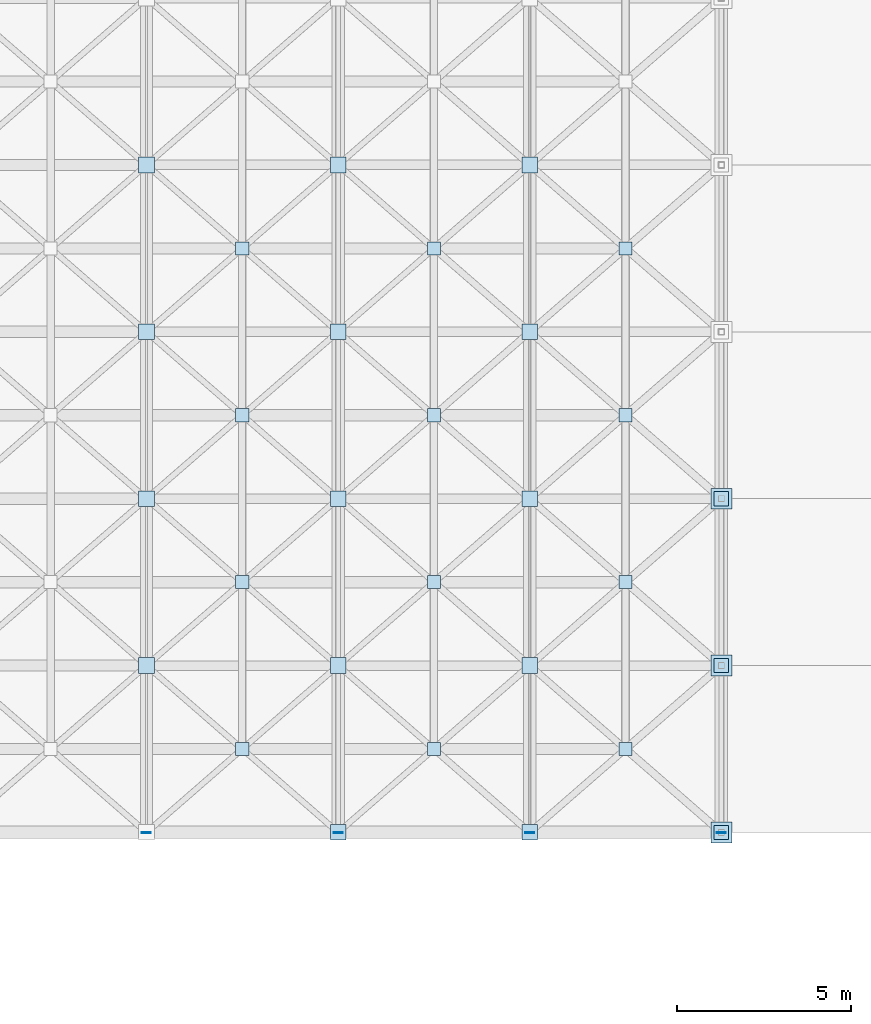
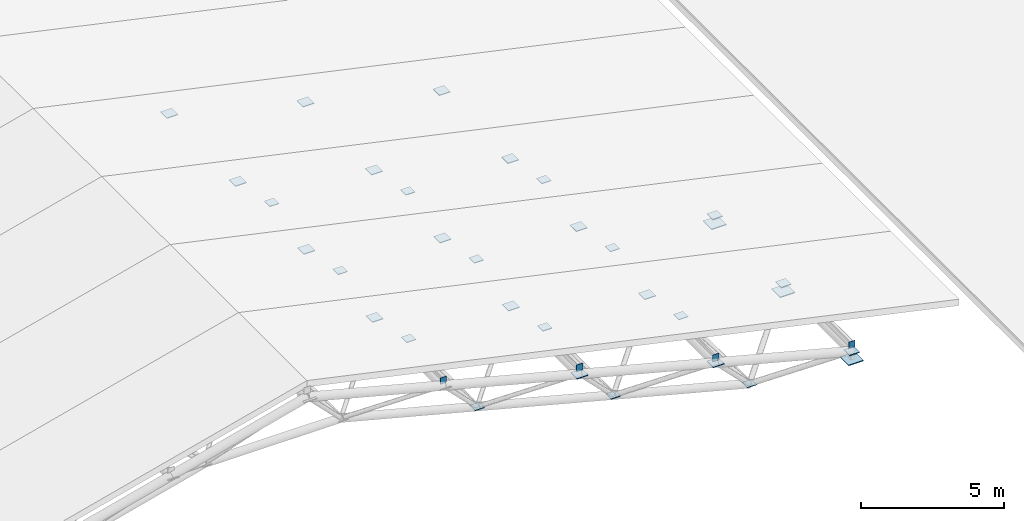
# One storey, part 46 of 60: 36 plates.
"""IFC4 building model written with IfcOpenShell, lengths in metres."""

from ifc_helpers import new_model, si_unit, direction, frame, origin, origin_2d, place, context, subcontext, project, spatial, rectangle, extrude, material, type_object, element, save


model = new_model("IFC4")

# Units and contexts
model_context = context("Model", 3, precision=1e-05, world=origin(), true_north=direction((0.0, 1.0)))
body_context = subcontext(model_context, "Body", "Model", "MODEL_VIEW")
ifc_project = project(units=[si_unit("LENGTHUNIT", "METRE"), si_unit("AREAUNIT", "SQUARE_METRE"), si_unit("VOLUMEUNIT", "CUBIC_METRE"), si_unit("PLANEANGLEUNIT", "RADIAN"), si_unit("MASSUNIT", "GRAM", prefix="KILO")], contexts=[model_context])

# Site, building, storey
site_placement = place(None, origin())
site = spatial("IfcSite", under=ifc_project, at=site_placement, CompositionType="ELEMENT")
building_placement = place(site_placement, origin())
building = spatial("IfcBuilding", under=site, at=building_placement, Name="Nakhvara Creek Congress Hotel", CompositionType="ELEMENT")
storey_placement = place(building_placement, frame((0.0, 0.0, 54.60009765625)))
storey = spatial("IfcBuildingStorey", under=building, at=storey_placement, Name="RL1", CompositionType="ELEMENT", Elevation=54.60009765625)

# Plates
ifc_material = material(Name="Steel S355J2", Category="steel")
plate_type_1 = type_object("IfcPlateType", Name="PLT-BASE-600X600X35", PredefinedType="USERDEFINED", material=ifc_material)
for number, where, z_axis, x_axis, name in (
    (1, (53.25, 33.60009765625, -35.39990234375), (0.0, 0.0, 1.0), (1.0, 0.0, 0.0), "Space-Frame Bearing Shoe SN04-009"),
    (2, (53.25, 38.39990234375, -35.39990234375), (0.0, 0.0, 1.0), (1.0, 0.0, 0.0), "Space-Frame Bearing Shoe SN04-018"),
    (3, (53.25, 43.199951171875, -35.39990234375), (0.0, 0.0, 1.0), (1.0, 0.0, 0.0), "Space-Frame Bearing Shoe SN04-027"),
):
    element("IfcPlate", number, at=place(storey_placement, frame(where, z_axis=z_axis, x_axis=x_axis)), inside=storey, type_object=plate_type_1, Name=name, ObjectType="GUSSET_PLATE", PredefinedType="USERDEFINED", context=body_context, shape_type="SweptSolid", body=[
        extrude(rectangle(XDim=0.60009765625, YDim=0.60009765625, at=origin_2d()), origin(), (0.0, 0.0, 1.0), 0.034912109375),
    ])
plate_type_2 = type_object("IfcPlateType", Name="PLT-CAP-260X280X20", PredefinedType="USERDEFINED", material=ifc_material)
for number, where, z_axis, x_axis, name in (
    (4, (36.71240234375, 33.590087890625, -30.63818359375), (0.0, 0.0, 1.0), (1.0, 0.0, 0.0), "Congress Purlin End-Cap Plate SN08-06S"),
    (5, (42.22509765625, 33.590087890625, -32.01318359375), (0.0, 0.0, 1.0), (1.0, 0.0, 0.0), "Congress Purlin End-Cap Plate SN08-07S"),
    (6, (47.737548828125, 33.590087890625, -33.51806640625), (0.0, 0.0, 1.0), (1.0, 0.0, 0.0), "Congress Purlin End-Cap Plate SN08-08S"),
    (7, (53.25, 33.590087890625, -34.89306640625), (0.0, 0.0, 1.0), (1.0, 0.0, 0.0), "Congress Purlin End-Cap Plate SN08-09S"),
):
    element("IfcPlate", number, at=place(storey_placement, frame(where, z_axis=z_axis, x_axis=x_axis)), inside=storey, type_object=plate_type_2, Name=name, ObjectType="GUSSET_PLATE", PredefinedType="USERDEFINED", context=body_context, shape_type="SweptSolid", body=[
        extrude(rectangle(XDim=0.260009765625, YDim=0.02001953125, at=origin_2d()), origin(), (0.0, 0.0, 1.0), 0.280029296875),
    ])
plate_type_3 = type_object("IfcPlateType", Name="PLT-NODE-380X380X24", PredefinedType="USERDEFINED", material=ifc_material)
for number, where, z_axis, x_axis, name in (
    (8, (39.46875, 36.0, -34.06201171875), (0.0, 0.0, 1.0), (1.0, 0.0, 0.0), "Congress Roof Truss Bottom Node Plate SN-114"),
    (9, (44.981201171875, 36.0, -35.501953125), (0.0, 0.0, 1.0), (1.0, 0.0, 0.0), "Congress Roof Truss Bottom Node Plate SN-115"),
    (10, (50.49365234375, 36.0, -36.942138671875), (0.0, 0.0, 1.0), (1.0, 0.0, 0.0), "Congress Roof Truss Bottom Node Plate SN-116"),
    (11, (39.46875, 40.800048828125, -34.06201171875), (0.0, 0.0, 1.0), (1.0, 0.0, 0.0), "Congress Roof Truss Bottom Node Plate SN-122"),
    (12, (44.981201171875, 40.800048828125, -35.501953125), (0.0, 0.0, 1.0), (1.0, 0.0, 0.0), "Congress Roof Truss Bottom Node Plate SN-123"),
    (13, (50.49365234375, 40.800048828125, -36.942138671875), (0.0, 0.0, 1.0), (1.0, 0.0, 0.0), "Congress Roof Truss Bottom Node Plate SN-124"),
    (14, (39.46875, 45.60009765625, -34.06201171875), (0.0, 0.0, 1.0), (1.0, 0.0, 0.0), "Congress Roof Truss Bottom Node Plate SN-130"),
    (15, (44.981201171875, 45.60009765625, -35.501953125), (0.0, 0.0, 1.0), (1.0, 0.0, 0.0), "Congress Roof Truss Bottom Node Plate SN-131"),
    (16, (50.49365234375, 45.60009765625, -36.942138671875), (0.0, 0.0, 1.0), (1.0, 0.0, 0.0), "Congress Roof Truss Bottom Node Plate SN-132"),
    (17, (39.46875, 50.39990234375, -34.06201171875), (0.0, 0.0, 1.0), (1.0, 0.0, 0.0), "Congress Roof Truss Bottom Node Plate SN-138"),
    (18, (44.981201171875, 50.39990234375, -35.501953125), (0.0, 0.0, 1.0), (1.0, 0.0, 0.0), "Congress Roof Truss Bottom Node Plate SN-139"),
    (19, (50.49365234375, 50.39990234375, -36.942138671875), (0.0, 0.0, 1.0), (1.0, 0.0, 0.0), "Congress Roof Truss Bottom Node Plate SN-140"),
):
    element("IfcPlate", number, at=place(storey_placement, frame(where, z_axis=z_axis, x_axis=x_axis)), inside=storey, type_object=plate_type_3, Name=name, ObjectType="GUSSET_PLATE", PredefinedType="USERDEFINED", context=body_context, shape_type="SweptSolid", body=[
        extrude(rectangle(XDim=0.3798828125, YDim=0.3798828125, at=origin_2d()), origin(), (0.0, 0.0, 1.0), 0.02392578125),
    ])
plate_type_4 = type_object("IfcPlateType", Name="PLT-NODE-410X410X26", PredefinedType="USERDEFINED", material=ifc_material)
for number, where, z_axis, x_axis, name in (
    (20, (53.25, 33.60009765625, -35.06298828125), (0.0, 0.0, 1.0), (1.0, 0.0, 0.0), "Congress Roof Truss Node Plate SN-009"),
    (21, (53.25, 38.39990234375, -35.06298828125), (0.0, 0.0, 1.0), (1.0, 0.0, 0.0), "Congress Roof Truss Node Plate SN-018"),
    (22, (53.25, 43.199951171875, -35.06298828125), (0.0, 0.0, 1.0), (1.0, 0.0, 0.0), "Congress Roof Truss Node Plate SN-027"),
):
    element("IfcPlate", number, at=place(storey_placement, frame(where, z_axis=z_axis, x_axis=x_axis)), inside=storey, type_object=plate_type_4, Name=name, ObjectType="GUSSET_PLATE", PredefinedType="USERDEFINED", context=body_context, shape_type="SweptSolid", body=[
        extrude(rectangle(XDim=0.409912109375, YDim=0.409912109375, at=origin_2d()), origin(), (0.0, 0.0, 1.0), 0.02587890625),
    ])
plate_type_5 = type_object("IfcPlateType", Name="PLT-NODE-450X450X28", PredefinedType="USERDEFINED", material=ifc_material)
for number, where, z_axis, x_axis, name in (
    (23, (42.22509765625, 33.60009765625, -32.18408203125), (0.0, 0.0, 1.0), (1.0, 0.0, 0.0), "Congress Roof Truss Node Plate SN-007"),
    (24, (47.737548828125, 33.60009765625, -33.6240234375), (0.0, 0.0, 1.0), (1.0, 0.0, 0.0), "Congress Roof Truss Node Plate SN-008"),
    (25, (36.71240234375, 38.39990234375, -30.744140625), (0.0, 0.0, 1.0), (1.0, 0.0, 0.0), "Congress Roof Truss Node Plate SN-015"),
    (26, (42.22509765625, 38.39990234375, -32.18408203125), (0.0, 0.0, 1.0), (1.0, 0.0, 0.0), "Congress Roof Truss Node Plate SN-016"),
    (27, (47.737548828125, 38.39990234375, -33.6240234375), (0.0, 0.0, 1.0), (1.0, 0.0, 0.0), "Congress Roof Truss Node Plate SN-017"),
    (28, (36.71240234375, 43.199951171875, -30.744140625), (0.0, 0.0, 1.0), (1.0, 0.0, 0.0), "Congress Roof Truss Node Plate SN-024"),
    (29, (42.22509765625, 43.199951171875, -32.18408203125), (0.0, 0.0, 1.0), (1.0, 0.0, 0.0), "Congress Roof Truss Node Plate SN-025"),
    (30, (47.737548828125, 43.199951171875, -33.6240234375), (0.0, 0.0, 1.0), (1.0, 0.0, 0.0), "Congress Roof Truss Node Plate SN-026"),
    (31, (36.71240234375, 48.0, -30.744140625), (0.0, 0.0, 1.0), (1.0, 0.0, 0.0), "Congress Roof Truss Node Plate SN-033"),
    (32, (42.22509765625, 48.0, -32.18408203125), (0.0, 0.0, 1.0), (1.0, 0.0, 0.0), "Congress Roof Truss Node Plate SN-034"),
    (33, (47.737548828125, 48.0, -33.6240234375), (0.0, 0.0, 1.0), (1.0, 0.0, 0.0), "Congress Roof Truss Node Plate SN-035"),
    (34, (36.71240234375, 52.800048828125, -30.744140625), (0.0, 0.0, 1.0), (1.0, 0.0, 0.0), "Congress Roof Truss Node Plate SN-042"),
    (35, (42.22509765625, 52.800048828125, -32.18408203125), (0.0, 0.0, 1.0), (1.0, 0.0, 0.0), "Congress Roof Truss Node Plate SN-043"),
    (36, (47.737548828125, 52.800048828125, -33.6240234375), (0.0, 0.0, 1.0), (1.0, 0.0, 0.0), "Congress Roof Truss Node Plate SN-044"),
):
    element("IfcPlate", number, at=place(storey_placement, frame(where, z_axis=z_axis, x_axis=x_axis)), inside=storey, type_object=plate_type_5, Name=name, ObjectType="GUSSET_PLATE", PredefinedType="USERDEFINED", context=body_context, shape_type="SweptSolid", body=[
        extrude(rectangle(XDim=0.449951171875, YDim=0.449951171875, at=origin_2d()), origin(), (0.0, 0.0, 1.0), 0.028076171875),
    ])

save(model, "model.ifc")
